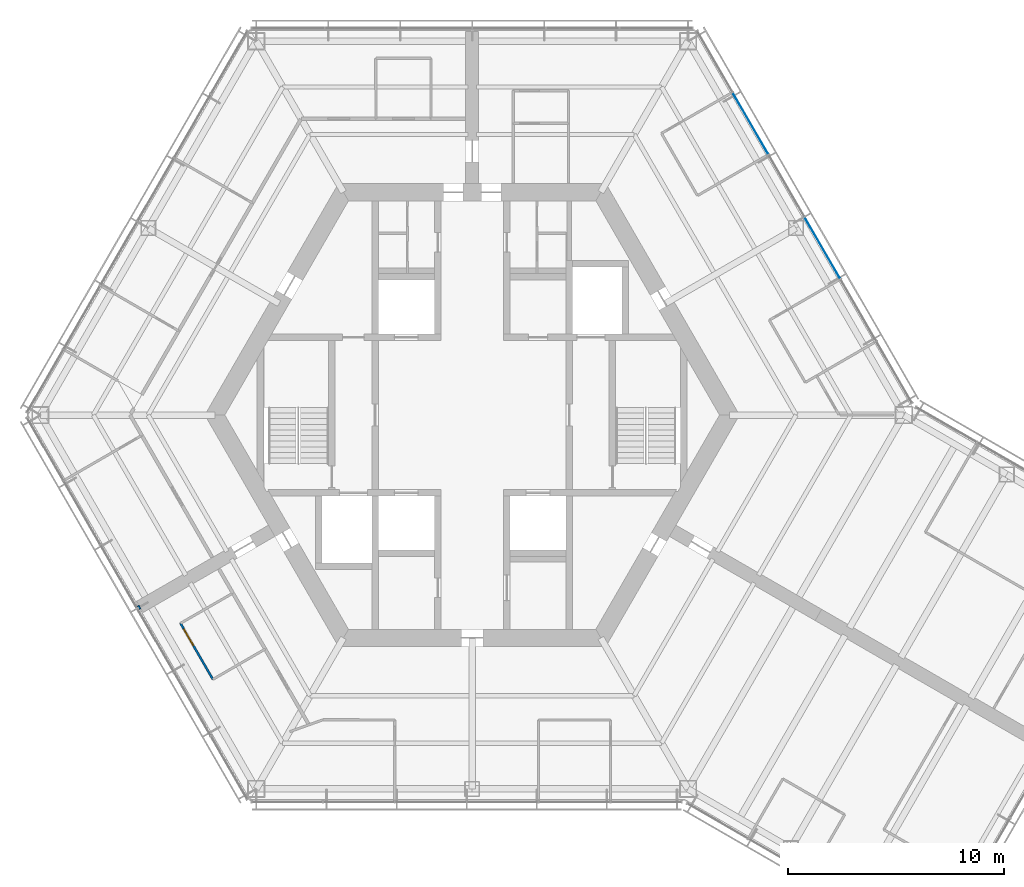
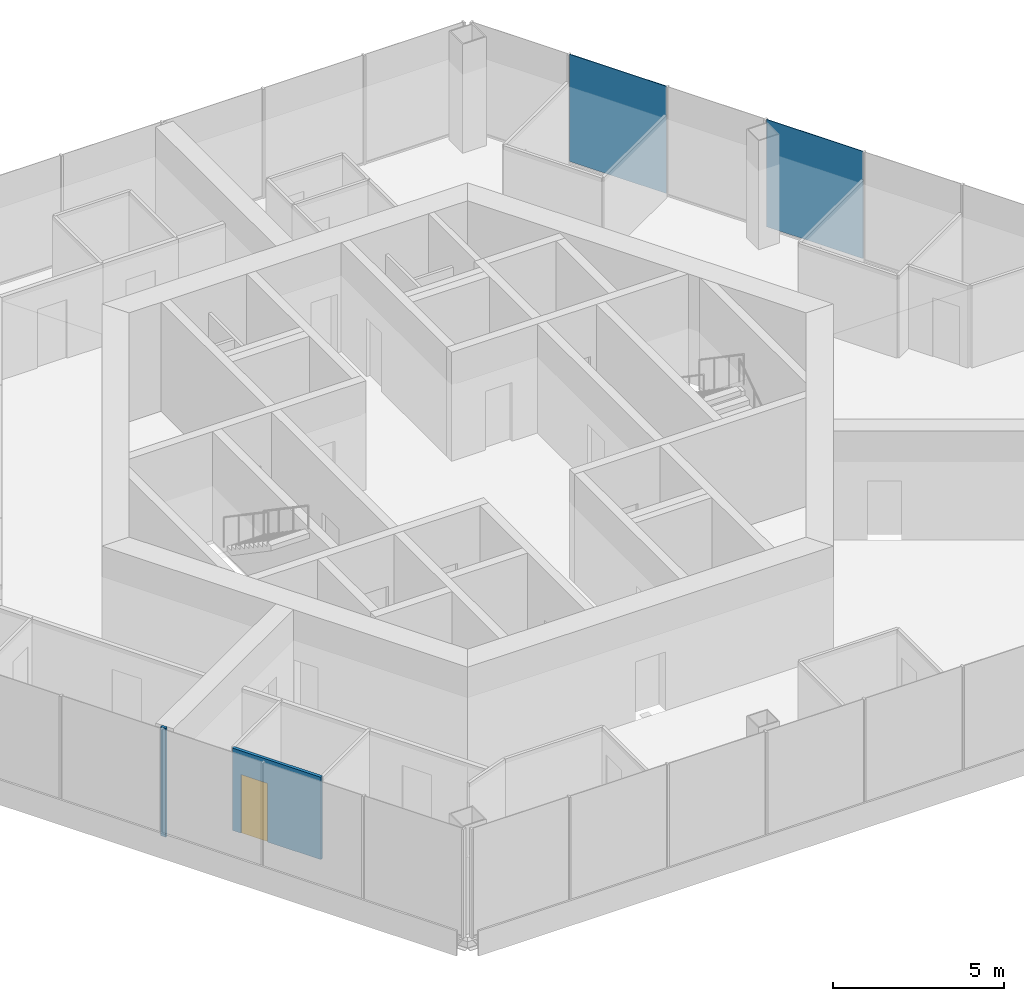
# One storey, part 9 of 16: 2 plates, 2 walls, 1 door, 1 opening, 1 element without a shape of its own.
"""IFC4 building model written with IfcOpenShell, lengths in metres."""

import ifcopenshell
import ifcopenshell.guid

model = None  # the IFC model being written
_history = None  # IfcOwnerHistory: only IFC2X3 demands one
_inside = {}  # id of a spatial element -> (the spatial element, [elements in it])
_under = {}  # id of a project, library or spatial element -> (it, [spatial elements below it])
_declared = {}  # id of a project -> (the project, [libraries it declares])
_typed = {}  # id of a type object -> (the type object, [elements of that type])
_made_of = {}  # id of a material, layer set ... -> (it, [elements and type objects made of it])


def new_model(schema):
    """Start an empty IFC model of exactly this schema.

    Asked for "IFC4X3", IfcOpenShell would pick the latest addendum, in which some entities
    have other attributes; the version numbers below select the first issue.
    IFC2X3 requires an IfcOwnerHistory on every rooted entity: one is made here for all.
    """
    global model, _history
    if schema == "IFC4X3":
        model = ifcopenshell.file(schema_version=(4, 3, 0, 0))
    else:
        model = ifcopenshell.file(schema=schema)
    _inside.clear()
    _under.clear()
    _declared.clear()
    _typed.clear()
    _made_of.clear()
    _history = None
    if model.schema == "IFC2X3":
        org = make("IfcOrganization", Name="unknown")
        user = make(
            "IfcPersonAndOrganization",
            ThePerson=make("IfcPerson", FamilyName="unknown"),
            TheOrganization=org,
        )
        app = make(
            "IfcApplication",
            ApplicationDeveloper=org,
            Version="unknown",
            ApplicationFullName="unknown",
            ApplicationIdentifier="unknown",
        )
        _history = make(
            "IfcOwnerHistory",
            OwningUser=user,
            OwningApplication=app,
            ChangeAction="ADDED",
            CreationDate=0,
        )
    return model


def make(cls, **values):
    """One entity of the class cls with the attributes given. An attribute that is None is left unset."""
    return model.create_entity(
        cls, **{name: value for name, value in values.items() if value is not None}
    )


def rooted(cls, **values):
    """An entity with a GlobalId (a new one), such as an element, a storey or a relation."""
    return make(cls, GlobalId=ifcopenshell.guid.new(), OwnerHistory=_history, **values)


def si_unit(unit_type, name, prefix=None):
    """IfcSIUnit, for example si_unit("LENGTHUNIT", "METRE", prefix="MILLI")."""
    return make("IfcSIUnit", UnitType=unit_type, Prefix=prefix, Name=name)


def assignment(units):
    """IfcUnitAssignment: the units of a project."""
    return None if units is None else make("IfcUnitAssignment", Units=units)


def point(xyz):
    """IfcCartesianPoint."""
    return None if xyz is None else make("IfcCartesianPoint", Coordinates=xyz)


def direction(xyz):
    """IfcDirection."""
    return None if xyz is None else make("IfcDirection", DirectionRatios=xyz)


def frame(location, z_axis=None, x_axis=None):
    """IfcAxis2Placement3D, a coordinate frame: its origin and axes. An axis left out is left unset."""
    return make(
        "IfcAxis2Placement3D",
        Location=point(location),
        Axis=direction(z_axis),
        RefDirection=direction(x_axis),
    )


def frame_2d(location, x_axis=None):
    """IfcAxis2Placement2D, a coordinate frame in the plane: its origin and x axis."""
    return make(
        "IfcAxis2Placement2D", Location=point(location), RefDirection=direction(x_axis)
    )


def origin():
    """The frame at (0, 0, 0) with its axes left unset."""
    return frame((0.0, 0.0, 0.0))


def origin_2d():
    """The frame at (0, 0) in the plane with its x axis left unset."""
    return frame_2d((0.0, 0.0))


def place(relative_to, where):
    """IfcLocalPlacement: puts the frame where relative to a parent placement (None: the world)."""
    return make(
        "IfcLocalPlacement", PlacementRelTo=relative_to, RelativePlacement=where
    )


def context(
    kind, dimensions, precision=None, world=None, true_north=None, identifier=None
):
    """IfcGeometricRepresentationContext, for example the 3D "Model" context."""
    return make(
        "IfcGeometricRepresentationContext",
        ContextIdentifier=identifier,
        ContextType=kind,
        CoordinateSpaceDimension=dimensions,
        Precision=precision,
        WorldCoordinateSystem=world,
        TrueNorth=true_north,
    )


def subcontext(parent, identifier, kind, view, scale=None):
    """IfcGeometricRepresentationSubContext, for example "Body" below "Model"."""
    return make(
        "IfcGeometricRepresentationSubContext",
        ContextIdentifier=identifier,
        ContextType=kind,
        ParentContext=parent,
        TargetScale=scale,
        TargetView=view,
    )


def project(units=None, contexts=None):
    """IfcProject with its units and contexts."""
    return rooted(
        "IfcProject",
        Name="project",
        RepresentationContexts=contexts,
        UnitsInContext=assignment(units),
    )


def spatial(cls, under=None, at=None, **own):
    """A site, building, storey or space (cls), placed at a placement, below another one or the project."""
    s = rooted(cls, ObjectPlacement=at, **own)
    if under is not None:
        _under.setdefault(under.id(), (under, []))[1].append(s)
    return s


def profile(cls, at=None, kind="AREA", **sizes):
    """A parametric profile (cls). Its sizes go by their IFC names, for example OverallWidth=200.0."""
    return make(cls, ProfileType=kind, Position=at, **sizes)


def rectangle(**sizes):
    """IfcRectangleProfileDef."""
    return profile("IfcRectangleProfileDef", **sizes)


def extrude(swept, where, along, depth):
    """IfcExtrudedAreaSolid: the profile swept, set in the frame where, extruded along a direction by depth."""
    return make(
        "IfcExtrudedAreaSolid",
        SweptArea=swept,
        Position=where,
        ExtrudedDirection=direction(along),
        Depth=depth,
    )


def shape(context_of_items, identifier, shape_type, items):
    """IfcShapeRepresentation: the items that make up one representation, for example the "Body"."""
    return make(
        "IfcShapeRepresentation",
        ContextOfItems=context_of_items,
        RepresentationIdentifier=identifier,
        RepresentationType=shape_type,
        Items=items,
    )


def material(Name=None, Category=None):
    """IfcMaterial."""
    return make("IfcMaterial", Name=Name, Category=Category)


def layer(
    of_material, thickness, ventilated=None, Name=None, Category=None, Priority=None
):
    """IfcMaterialLayer: one layer of a wall or slab, of a material (None: an air gap)."""
    return make(
        "IfcMaterialLayer",
        Material=of_material,
        LayerThickness=thickness,
        IsVentilated=ventilated,
        Name=Name,
        Category=Category,
        Priority=Priority,
    )


def layer_set(layers, Name=None):
    """IfcMaterialLayerSet."""
    return make("IfcMaterialLayerSet", MaterialLayers=layers, LayerSetName=Name)


def made_of(thing, what):
    """Note that an element or type object is made of a material, layer set ...; save() writes the relation."""
    if what is not None:
        _made_of.setdefault(what.id(), (what, []))[1].append(thing)
    return thing


def type_object(cls, material=None, **own):
    """A type object (cls), such as IfcWallType, which elements share."""
    return made_of(rooted(cls, **own), material)


def element(
    cls,
    number,
    at=None,
    inside=None,
    cuts=None,
    type_object=None,
    material=None,
    context=None,
    identifier="Body",
    shape_type=None,
    held_by="IfcProductDefinitionShape",
    body=None,
    shapes=None,
    **own,
):
    """One element of the class cls, such as IfcWall. Its Tag is "e" and its number.

    at: its placement. inside: the storey or other place that contains it. cuts: it is an
    opening in that element (IfcRelVoidsElement). A single representation is given by context,
    identifier, shape_type and body (its items); several are given by shapes. held_by: the class
    of the entity that holds the representations. save() writes the other relations.
    """
    e = rooted(cls, Tag="e%d" % number, ObjectPlacement=at, **own)
    if body is not None:
        shapes = [shape(context, identifier, shape_type, body)]
    if shapes is not None:
        e.Representation = make(held_by, Representations=shapes)
    if inside is not None:
        _inside.setdefault(inside.id(), (inside, []))[1].append(e)
    if cuts is not None:
        rooted(
            "IfcRelVoidsElement", RelatingBuildingElement=cuts, RelatedOpeningElement=e
        )
    if type_object is not None:
        _typed.setdefault(type_object.id(), (type_object, []))[1].append(e)
    return made_of(e, material)


def fill(opening, filler):
    """IfcRelFillsElement: the door or window that sits in an opening."""
    return rooted(
        "IfcRelFillsElement",
        RelatingOpeningElement=opening,
        RelatedBuildingElement=filler,
    )


def aggregate(whole, parts):
    """IfcRelAggregates: a whole, such as a stair, and the parts it consists of."""
    return rooted("IfcRelAggregates", RelatingObject=whole, RelatedObjects=parts)


def save(model, path):
    """Write the relations noted so far, then the file.

    IfcRelAggregates (storeys below a building ...), IfcRelContainedInSpatialStructure (elements
    in a storey), IfcRelDefinesByType, IfcRelAssociatesMaterial and IfcRelDeclares: one each for
    every whole, place, type object, material and project.
    """
    for whole, parts in _under.values():
        aggregate(whole, parts)
    for where, things in _inside.values():
        rooted(
            "IfcRelContainedInSpatialStructure",
            RelatedElements=things,
            RelatingStructure=where,
        )
    for kind, things in _typed.values():
        rooted("IfcRelDefinesByType", RelatedObjects=things, RelatingType=kind)
    for what, things in _made_of.values():
        rooted("IfcRelAssociatesMaterial", RelatedObjects=things, RelatingMaterial=what)
    for by, libraries in _declared.values():
        rooted("IfcRelDeclares", RelatingContext=by, RelatedDefinitions=libraries)
    model.write(path)


model = new_model("IFC4")

# Units and contexts
model_context = context("Model", 3, precision=1e-05, world=origin(), true_north=direction((0.0, 1.0)))
body_context = subcontext(model_context, "Body", "Model", "MODEL_VIEW")
ifc_project = project(units=[si_unit("LENGTHUNIT", "METRE"), si_unit("AREAUNIT", "SQUARE_METRE"), si_unit("VOLUMEUNIT", "CUBIC_METRE"), si_unit("PLANEANGLEUNIT", "RADIAN"), si_unit("MASSUNIT", "GRAM", prefix="KILO")], contexts=[model_context])

# Site, building, storey
site_placement = place(None, origin())
site = spatial("IfcSite", under=ifc_project, at=site_placement, CompositionType="ELEMENT")
building_placement = place(site_placement, origin())
building = spatial("IfcBuilding", under=site, at=building_placement, Name="Kasaneha Research Tower", CompositionType="ELEMENT")
storey_placement = place(building_placement, frame((0.0, 0.0, 247.89990234375)))
storey = spatial("IfcBuildingStorey", under=building, at=storey_placement, Name="L62", CompositionType="ELEMENT", Elevation=247.89990234375)

# Curtain wall, plates
ifc_material_1 = material(Name="Glass and aluminium", Category="aluminium")
curtain_wall_type = type_object("IfcCurtainWallType", Name="High-rise office curtain wall", PredefinedType="USERDEFINED", material=ifc_material_1)
curtain_wall_placement = place(storey_placement, origin())
curtain_wall = element("IfcCurtainWall", 1, at=curtain_wall_placement, inside=storey, type_object=curtain_wall_type, Name="CW-O3 L62 run 01a", ObjectType="UNITISED CURTAIN WALL", PredefinedType="USERDEFINED")
ifc_material_2 = material(Name="Laminated double glazing", Category="glass")
ifc_layer_1 = layer(ifc_material_2, 0.02392578125)
ifc_layer_set_1 = layer_set([ifc_layer_1], Name="CW-O3 glazed panel")
plate_type = type_object("IfcPlateType", Name="CW-O3 glazed panel", PredefinedType="CURTAIN_PANEL", material=ifc_layer_set_1)
plate_1_placement = place(storey_placement, frame((16.2255859375, 7.737548828125, 0.06005859375), z_axis=(0.0, 0.0, 1.0), x_axis=(-0.499999979232, 0.866025415775, 0.0)))
plate_1 = element("IfcPlate", 2, at=plate_1_placement, type_object=plate_type, Name="CW-O3 panel 3", PredefinedType="CURTAIN_PANEL", context=body_context, shape_type="SweptSolid", body=[
    extrude(rectangle(XDim=3.27099609375, YDim=0.02392578125, at=origin_2d()), origin(), (0.0, 0.0, 1.0), 3.840087890625),
])
plate_2_placement = place(storey_placement, frame((12.89453125, 13.5068359375, 0.06005859375), z_axis=(0.0, 0.0, 1.0), x_axis=(-0.499999979232, 0.866025415775, 0.0)))
plate_2 = element("IfcPlate", 3, at=plate_2_placement, type_object=plate_type, Name="CW-O3 panel 5", PredefinedType="CURTAIN_PANEL", context=body_context, shape_type="SweptSolid", body=[
    extrude(rectangle(XDim=3.27099609375, YDim=0.02392578125, at=origin_2d()), origin(), (0.0, 0.0, 1.0), 3.840087890625),
])
aggregate(curtain_wall, [plate_1, plate_2])

# Wall, opening, door
ifc_material_3 = material(Name="Gypsum board on steel studs, one layer each side", Category="steel")
ifc_layer_2 = layer(ifc_material_3, 0.10009765625)
ifc_layer_set_2 = layer_set([ifc_layer_2], Name="Office partition 100")
wall_type_1 = type_object("IfcWallType", Name="Office partition 100", PredefinedType="PARTITIONING", material=ifc_layer_set_2)
wall_1_placement = place(storey_placement, frame((-12.010986328125, -12.24609375, 0.0), z_axis=(0.0, 0.0, 1.0), x_axis=(-0.50002537861, 0.866010750942, 0.0)))
wall_1 = element("IfcWall", 4, at=wall_1_placement, inside=storey, type_object=wall_type_1, Name="Office partition FBS05 L62", PredefinedType="PARTITIONING", context=body_context, shape_type="SweptSolid", body=[
    extrude(rectangle(XDim=2.999755859375, YDim=0.10009765625, at=frame_2d((1.5, 0.0))), origin(), (0.0, 0.0, 1.0), 2.9501953125),
])
opening_placement = place(wall_1_placement, frame((1.800048828125, 0.0, 0.0)))
opening = element("IfcOpeningElement", 5, at=opening_placement, cuts=wall_1, Name="Opening L62-D38", PredefinedType="OPENING", context=body_context, shape_type="SweptSolid", body=[
    extrude(rectangle(XDim=0.89990234375, YDim=2.10009765625, at=frame_2d((0.449951171875, 1.050048828125))), frame((0.0, 0.06005859375, 0.0), z_axis=(0.0, -1.0, 0.0), x_axis=(1.0, 0.0, 0.0)), (0.0, 0.0, 1.0), 0.1201171875),
])
ifc_material_4 = material(Name="Timber veneer", Category="wood")
door_type = type_object("IfcDoorType", Name="Office door 900x2100", OperationType="SINGLE_SWING_LEFT", PredefinedType="DOOR", material=ifc_material_4)
door_placement = place(opening_placement, origin())
door = element("IfcDoor", 6, at=door_placement, inside=storey, type_object=door_type, Name="Pantry door L62-D38", OperationType="SINGLE_SWING_RIGHT", OverallHeight=2.10009765625, OverallWidth=0.89990234375, PredefinedType="DOOR", context=body_context, shape_type="SweptSolid", body=[
    extrude(rectangle(XDim=0.89990234375, YDim=2.10009765625, at=frame_2d((0.449951171875, 1.050048828125))), frame((0.0, 0.02490234375, 0.0), z_axis=(0.0, -1.0, 0.0), x_axis=(1.0, 0.0, 0.0)), (0.0, 0.0, 1.0), 0.050048828125),
])
fill(opening, door)

# Wall
ifc_material_5 = material(Name="Gypsum board on steel studs, two layers each side", Category="steel")
ifc_layer_3 = layer(ifc_material_5, 0.175048828125)
ifc_layer_set_3 = layer_set([ifc_layer_3], Name="Tenancy fire partition 175")
wall_type_2 = type_object("IfcWallType", Name="Tenancy fire partition 175", PredefinedType="PARTITIONING", material=ifc_layer_set_3)
wall_2_placement = place(storey_placement, frame((-15.3896484375, -8.88525390625, 0.0), z_axis=(0.0, 0.0, 1.0), x_axis=(-0.866472036435, -0.499225610396, 0.0)))
element("IfcWall", 7, at=wall_2_placement, inside=storey, type_object=wall_type_2, Name="Spine wall closer SW4-600 L62", PredefinedType="PARTITIONING", context=body_context, shape_type="SweptSolid", body=[
    extrude(rectangle(XDim=0.085205078125, YDim=0.175048828125, at=frame_2d((0.04248046875, 0.0))), origin(), (0.0, 0.0, 1.0), 3.900146484375),
])

save(model, "model.ifc")
